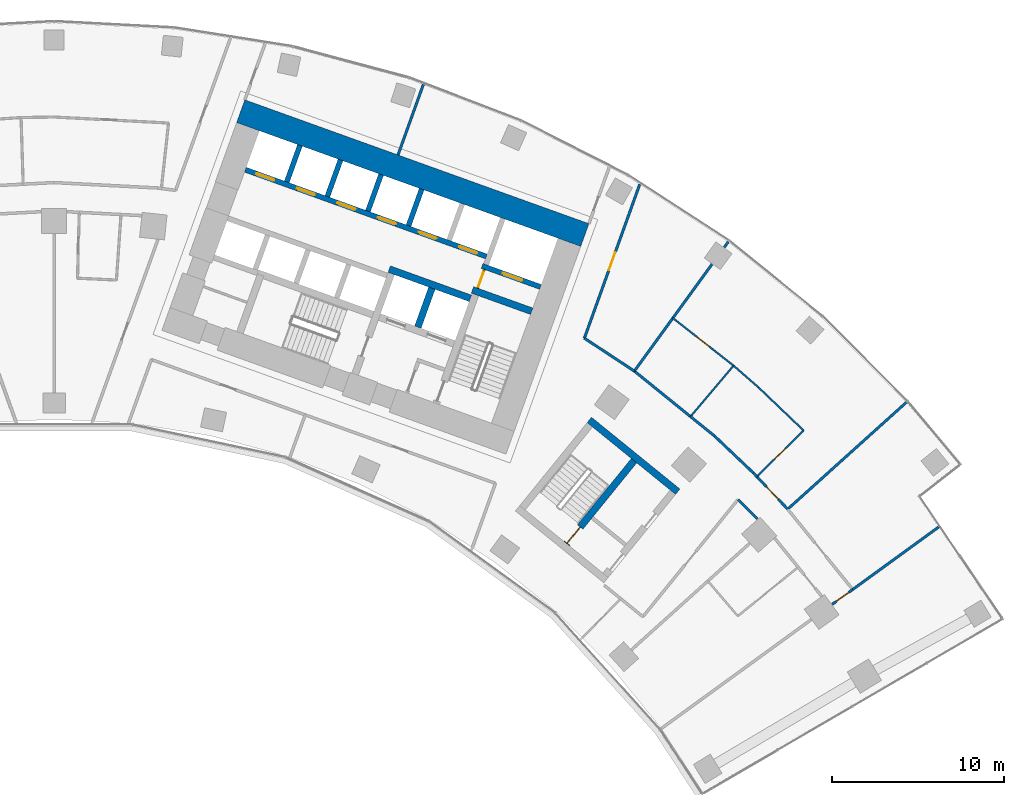
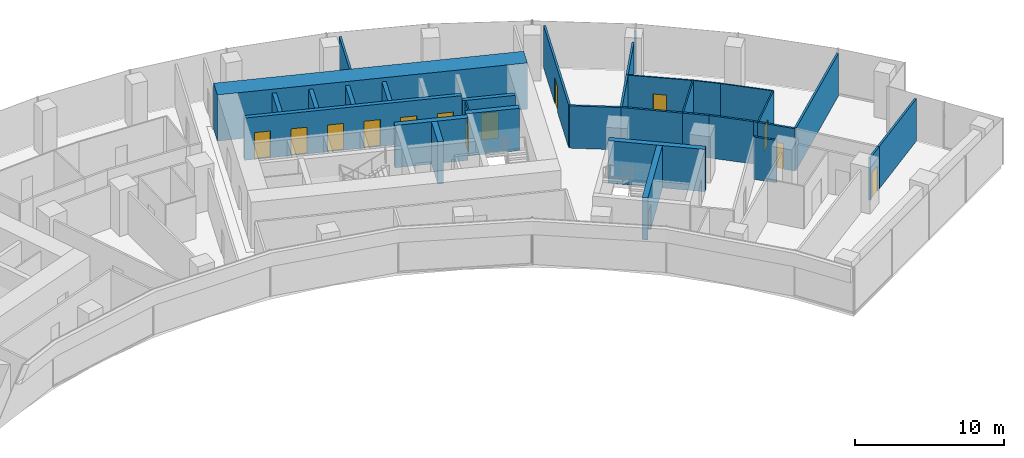
# One storey, part 18 of 21: 33 walls, 14 doors, 14 openings.
"""IFC4 building model written with IfcOpenShell, lengths in metres."""

import ifcopenshell
import ifcopenshell.guid

model = None  # the IFC model being written
_history = None  # IfcOwnerHistory: only IFC2X3 demands one
_inside = {}  # id of a spatial element -> (the spatial element, [elements in it])
_under = {}  # id of a project, library or spatial element -> (it, [spatial elements below it])
_declared = {}  # id of a project -> (the project, [libraries it declares])
_typed = {}  # id of a type object -> (the type object, [elements of that type])
_made_of = {}  # id of a material, layer set ... -> (it, [elements and type objects made of it])


def new_model(schema):
    """Start an empty IFC model of exactly this schema.

    Asked for "IFC4X3", IfcOpenShell would pick the latest addendum, in which some entities
    have other attributes; the version numbers below select the first issue.
    IFC2X3 requires an IfcOwnerHistory on every rooted entity: one is made here for all.
    """
    global model, _history
    if schema == "IFC4X3":
        model = ifcopenshell.file(schema_version=(4, 3, 0, 0))
    else:
        model = ifcopenshell.file(schema=schema)
    _inside.clear()
    _under.clear()
    _declared.clear()
    _typed.clear()
    _made_of.clear()
    _history = None
    if model.schema == "IFC2X3":
        org = make("IfcOrganization", Name="unknown")
        user = make(
            "IfcPersonAndOrganization",
            ThePerson=make("IfcPerson", FamilyName="unknown"),
            TheOrganization=org,
        )
        app = make(
            "IfcApplication",
            ApplicationDeveloper=org,
            Version="unknown",
            ApplicationFullName="unknown",
            ApplicationIdentifier="unknown",
        )
        _history = make(
            "IfcOwnerHistory",
            OwningUser=user,
            OwningApplication=app,
            ChangeAction="ADDED",
            CreationDate=0,
        )
    return model


def make(cls, **values):
    """One entity of the class cls with the attributes given. An attribute that is None is left unset."""
    return model.create_entity(
        cls, **{name: value for name, value in values.items() if value is not None}
    )


def rooted(cls, **values):
    """An entity with a GlobalId (a new one), such as an element, a storey or a relation."""
    return make(cls, GlobalId=ifcopenshell.guid.new(), OwnerHistory=_history, **values)


def si_unit(unit_type, name, prefix=None):
    """IfcSIUnit, for example si_unit("LENGTHUNIT", "METRE", prefix="MILLI")."""
    return make("IfcSIUnit", UnitType=unit_type, Prefix=prefix, Name=name)


def assignment(units):
    """IfcUnitAssignment: the units of a project."""
    return None if units is None else make("IfcUnitAssignment", Units=units)


def point(xyz):
    """IfcCartesianPoint."""
    return None if xyz is None else make("IfcCartesianPoint", Coordinates=xyz)


def direction(xyz):
    """IfcDirection."""
    return None if xyz is None else make("IfcDirection", DirectionRatios=xyz)


def frame(location, z_axis=None, x_axis=None):
    """IfcAxis2Placement3D, a coordinate frame: its origin and axes. An axis left out is left unset."""
    return make(
        "IfcAxis2Placement3D",
        Location=point(location),
        Axis=direction(z_axis),
        RefDirection=direction(x_axis),
    )


def frame_2d(location, x_axis=None):
    """IfcAxis2Placement2D, a coordinate frame in the plane: its origin and x axis."""
    return make(
        "IfcAxis2Placement2D", Location=point(location), RefDirection=direction(x_axis)
    )


def origin():
    """The frame at (0, 0, 0) with its axes left unset."""
    return frame((0.0, 0.0, 0.0))


def place(relative_to, where):
    """IfcLocalPlacement: puts the frame where relative to a parent placement (None: the world)."""
    return make(
        "IfcLocalPlacement", PlacementRelTo=relative_to, RelativePlacement=where
    )


def context(
    kind, dimensions, precision=None, world=None, true_north=None, identifier=None
):
    """IfcGeometricRepresentationContext, for example the 3D "Model" context."""
    return make(
        "IfcGeometricRepresentationContext",
        ContextIdentifier=identifier,
        ContextType=kind,
        CoordinateSpaceDimension=dimensions,
        Precision=precision,
        WorldCoordinateSystem=world,
        TrueNorth=true_north,
    )


def subcontext(parent, identifier, kind, view, scale=None):
    """IfcGeometricRepresentationSubContext, for example "Body" below "Model"."""
    return make(
        "IfcGeometricRepresentationSubContext",
        ContextIdentifier=identifier,
        ContextType=kind,
        ParentContext=parent,
        TargetScale=scale,
        TargetView=view,
    )


def project(units=None, contexts=None):
    """IfcProject with its units and contexts."""
    return rooted(
        "IfcProject",
        Name="project",
        RepresentationContexts=contexts,
        UnitsInContext=assignment(units),
    )


def spatial(cls, under=None, at=None, **own):
    """A site, building, storey or space (cls), placed at a placement, below another one or the project."""
    s = rooted(cls, ObjectPlacement=at, **own)
    if under is not None:
        _under.setdefault(under.id(), (under, []))[1].append(s)
    return s


def profile(cls, at=None, kind="AREA", **sizes):
    """A parametric profile (cls). Its sizes go by their IFC names, for example OverallWidth=200.0."""
    return make(cls, ProfileType=kind, Position=at, **sizes)


def rectangle(**sizes):
    """IfcRectangleProfileDef."""
    return profile("IfcRectangleProfileDef", **sizes)


def extrude(swept, where, along, depth):
    """IfcExtrudedAreaSolid: the profile swept, set in the frame where, extruded along a direction by depth."""
    return make(
        "IfcExtrudedAreaSolid",
        SweptArea=swept,
        Position=where,
        ExtrudedDirection=direction(along),
        Depth=depth,
    )


def shape(context_of_items, identifier, shape_type, items):
    """IfcShapeRepresentation: the items that make up one representation, for example the "Body"."""
    return make(
        "IfcShapeRepresentation",
        ContextOfItems=context_of_items,
        RepresentationIdentifier=identifier,
        RepresentationType=shape_type,
        Items=items,
    )


def material(Name=None, Category=None):
    """IfcMaterial."""
    return make("IfcMaterial", Name=Name, Category=Category)


def layer(
    of_material, thickness, ventilated=None, Name=None, Category=None, Priority=None
):
    """IfcMaterialLayer: one layer of a wall or slab, of a material (None: an air gap)."""
    return make(
        "IfcMaterialLayer",
        Material=of_material,
        LayerThickness=thickness,
        IsVentilated=ventilated,
        Name=Name,
        Category=Category,
        Priority=Priority,
    )


def layer_set(layers, Name=None):
    """IfcMaterialLayerSet."""
    return make("IfcMaterialLayerSet", MaterialLayers=layers, LayerSetName=Name)


def made_of(thing, what):
    """Note that an element or type object is made of a material, layer set ...; save() writes the relation."""
    if what is not None:
        _made_of.setdefault(what.id(), (what, []))[1].append(thing)
    return thing


def type_object(cls, material=None, **own):
    """A type object (cls), such as IfcWallType, which elements share."""
    return made_of(rooted(cls, **own), material)


def element(
    cls,
    number,
    at=None,
    inside=None,
    cuts=None,
    type_object=None,
    material=None,
    context=None,
    identifier="Body",
    shape_type=None,
    held_by="IfcProductDefinitionShape",
    body=None,
    shapes=None,
    **own,
):
    """One element of the class cls, such as IfcWall. Its Tag is "e" and its number.

    at: its placement. inside: the storey or other place that contains it. cuts: it is an
    opening in that element (IfcRelVoidsElement). A single representation is given by context,
    identifier, shape_type and body (its items); several are given by shapes. held_by: the class
    of the entity that holds the representations. save() writes the other relations.
    """
    e = rooted(cls, Tag="e%d" % number, ObjectPlacement=at, **own)
    if body is not None:
        shapes = [shape(context, identifier, shape_type, body)]
    if shapes is not None:
        e.Representation = make(held_by, Representations=shapes)
    if inside is not None:
        _inside.setdefault(inside.id(), (inside, []))[1].append(e)
    if cuts is not None:
        rooted(
            "IfcRelVoidsElement", RelatingBuildingElement=cuts, RelatedOpeningElement=e
        )
    if type_object is not None:
        _typed.setdefault(type_object.id(), (type_object, []))[1].append(e)
    return made_of(e, material)


def fill(opening, filler):
    """IfcRelFillsElement: the door or window that sits in an opening."""
    return rooted(
        "IfcRelFillsElement",
        RelatingOpeningElement=opening,
        RelatedBuildingElement=filler,
    )


def aggregate(whole, parts):
    """IfcRelAggregates: a whole, such as a stair, and the parts it consists of."""
    return rooted("IfcRelAggregates", RelatingObject=whole, RelatedObjects=parts)


def save(model, path):
    """Write the relations noted so far, then the file.

    IfcRelAggregates (storeys below a building ...), IfcRelContainedInSpatialStructure (elements
    in a storey), IfcRelDefinesByType, IfcRelAssociatesMaterial and IfcRelDeclares: one each for
    every whole, place, type object, material and project.
    """
    for whole, parts in _under.values():
        aggregate(whole, parts)
    for where, things in _inside.values():
        rooted(
            "IfcRelContainedInSpatialStructure",
            RelatedElements=things,
            RelatingStructure=where,
        )
    for kind, things in _typed.values():
        rooted("IfcRelDefinesByType", RelatedObjects=things, RelatingType=kind)
    for what, things in _made_of.values():
        rooted("IfcRelAssociatesMaterial", RelatedObjects=things, RelatingMaterial=what)
    for by, libraries in _declared.values():
        rooted("IfcRelDeclares", RelatingContext=by, RelatedDefinitions=libraries)
    model.write(path)


model = new_model("IFC4")

# Units and contexts
model_context = context("Model", 3, precision=1e-05, world=origin(), true_north=direction((0.0, 1.0)))
body_context = subcontext(model_context, "Body", "Model", "MODEL_VIEW")
ifc_project = project(units=[si_unit("LENGTHUNIT", "METRE"), si_unit("AREAUNIT", "SQUARE_METRE"), si_unit("VOLUMEUNIT", "CUBIC_METRE"), si_unit("PLANEANGLEUNIT", "RADIAN"), si_unit("MASSUNIT", "GRAM", prefix="KILO")], contexts=[model_context])

# Site, building, storey
site_placement = place(None, origin())
site = spatial("IfcSite", under=ifc_project, at=site_placement, CompositionType="ELEMENT")
building_placement = place(site_placement, origin())
building = spatial("IfcBuilding", under=site, at=building_placement, Name="Stone Belt Terrace Tower", CompositionType="ELEMENT")
storey_placement = place(building_placement, frame((0.0, 0.0, 94.60009765625)))
storey = spatial("IfcBuildingStorey", under=building, at=storey_placement, Name="L22", CompositionType="ELEMENT", Elevation=94.60009765625)

# Wall, opening, door
ifc_material_1 = material(Name="Plasterboard partition")
ifc_layer_1 = layer(ifc_material_1, 0.10009765625)
ifc_layer_set_1 = layer_set([ifc_layer_1], Name="Core partition 100")
wall_type_1 = type_object("IfcWallType", Name="Core partition 100", PredefinedType="PARTITIONING", material=ifc_layer_set_1)
wall_1_placement = place(storey_placement, frame((24.555908203125, 51.10400390625, 0.0), z_axis=(0.0, 0.0, 1.0), x_axis=(0.338621735342, 0.94092258999, 0.0)))
wall_1 = element("IfcWall", 1, at=wall_1_placement, inside=storey, type_object=wall_type_1, Name="Core B wall", PredefinedType="PARTITIONING", context=body_context, shape_type="SweptSolid", body=[
    extrude(rectangle(XDim=1.14990234375, YDim=0.10009765625, at=frame_2d((0.574951171875, 0.0))), origin(), (0.0, 0.0, 1.0), 3.47998046875),
])
opening_1_placement = place(wall_1_placement, frame((0.050048828125, 0.0, 0.0)))
opening_1 = element("IfcOpeningElement", 2, at=opening_1_placement, cuts=wall_1, Name="Opening L22-C10", PredefinedType="OPENING", context=body_context, shape_type="SweptSolid", body=[
    extrude(rectangle(XDim=1.0, YDim=2.10009765625, at=frame_2d((0.5, 1.050048828125))), frame((0.0, 0.06005859375, 0.0), z_axis=(0.0, -1.0, 0.0), x_axis=(1.0, 0.0, 0.0)), (0.0, 0.0, 1.0), 0.1201171875),
])
ifc_material_2 = material(Name="Timber door leaf", Category="wood")
door_type_1 = type_object("IfcDoorType", Name="Core room door 1000", OperationType="SINGLE_SWING_LEFT", PredefinedType="DOOR", material=ifc_material_2)
door_1_placement = place(opening_1_placement, origin())
door_1 = element("IfcDoor", 3, at=door_1_placement, inside=storey, type_object=door_type_1, Name="Service lift lobby door core B", OperationType="SINGLE_SWING_RIGHT", OverallHeight=2.10009765625, OverallWidth=1.0, PredefinedType="DOOR", context=body_context, shape_type="SweptSolid", body=[
    extrude(rectangle(XDim=1.0, YDim=2.10009765625, at=frame_2d((0.5, 1.050048828125))), frame((0.0, 0.02490234375, 0.0), z_axis=(0.0, -1.0, 0.0), x_axis=(1.0, 0.0, 0.0)), (0.0, 0.0, 1.0), 0.050048828125),
])
fill(opening_1, door_1)

# Walls
ifc_material_3 = material(Name="Concrete B80", Category="concrete")
ifc_layer_2 = layer(ifc_material_3, 1.39990234375)
ifc_layer_set_2 = layer_set([ifc_layer_2], Name="Core wall 1400 B80")
wall_type_2 = type_object("IfcWallType", Name="Core wall 1400 B80", PredefinedType="SHEAR", material=ifc_layer_set_2)
wall_2_placement = place(storey_placement, frame((10.81787109375, 61.362060546875, 0.0), z_axis=(0.0, 0.0, 1.0), x_axis=(0.940919704758, -0.338629752382, 0.0)))
element("IfcWall", 4, at=wall_2_placement, inside=storey, type_object=wall_type_2, Name="Core B wall convex L22", PredefinedType="SHEAR", context=body_context, shape_type="SweptSolid", body=[
    extrude(rectangle(XDim=21.199951171875, YDim=1.39990234375, at=frame_2d((10.60009765625, 0.0))), origin(), (0.0, 0.0, 1.0), 3.7998046875),
])
ifc_layer_3 = layer(ifc_material_3, 0.39990234375)
ifc_layer_set_3 = layer_set([ifc_layer_3], Name="Fire-fighting lift shaft wall 400")
wall_type_3 = type_object("IfcWallType", Name="Fire-fighting lift shaft wall 400", PredefinedType="SHEAR", material=ifc_layer_set_3)
wall_3_placement = place(storey_placement, frame((24.130615234375, 50.512939453125, 0.0), z_axis=(0.0, 0.0, 1.0), x_axis=(-0.94091168377, 0.338652038744, 0.0)))
element("IfcWall", 5, at=wall_3_placement, inside=storey, type_object=wall_type_3, Name="Core B wall", PredefinedType="SHEAR", context=body_context, shape_type="SweptSolid", body=[
    extrude(rectangle(XDim=5.000244140625, YDim=0.39990234375, at=frame_2d((2.5, 0.0))), origin(), (0.0, 0.0, 1.0), 3.47998046875),
])
wall_4_placement = place(storey_placement, frame((21.0859375, 48.845458984375, 0.0), z_axis=(0.0, 0.0, 1.0), x_axis=(0.338629416206, 0.940919825745, 0.0)))
element("IfcWall", 6, at=wall_4_placement, inside=storey, type_object=wall_type_3, Name="Core B wall", PredefinedType="SHEAR", context=body_context, shape_type="SweptSolid", body=[
    extrude(rectangle(XDim=2.400146484375, YDim=0.39990234375, at=frame_2d((1.2001953125, 0.0))), origin(), (0.0, 0.0, 1.0), 3.47998046875),
])

# Wall, opening, door
ifc_layer_4 = layer(ifc_material_3, 0.300048828125)
ifc_layer_set_4 = layer_set([ifc_layer_4], Name="Lift shaft wall 300")
wall_type_4 = type_object("IfcWallType", Name="Lift shaft wall 300", PredefinedType="SHEAR", material=ifc_layer_set_4)
wall_5_placement = place(storey_placement, frame((28.195068359375, 51.17578125, 0.0), z_axis=(0.0, 0.0, 1.0), x_axis=(-0.940901243567, 0.338681044427, 0.0)))
wall_5 = element("IfcWall", 7, at=wall_5_placement, inside=storey, type_object=wall_type_4, Name="Core B wall", PredefinedType="SHEAR", context=body_context, shape_type="SweptSolid", body=[
    extrude(rectangle(XDim=3.599853515625, YDim=0.300048828125, at=frame_2d((1.7998046875, 0.0))), origin(), (0.0, 0.0, 1.0), 3.47998046875),
])
opening_2_placement = place(wall_5_placement, frame((1.1201171875, 0.0, 0.0)))
opening_2 = element("IfcOpeningElement", 8, at=opening_2_placement, cuts=wall_5, Name="Opening L22-LD18", PredefinedType="OPENING", context=body_context, shape_type="SweptSolid", body=[
    extrude(rectangle(XDim=1.199951171875, YDim=2.199951171875, at=frame_2d((0.60009765625, 1.10009765625))), frame((0.0, 0.159912109375, 0.0), z_axis=(0.0, -1.0, 0.0), x_axis=(1.0, 0.0, 0.0)), (0.0, 0.0, 1.0), 0.320068359375),
])
ifc_material_4 = material(Name="Stainless steel door leaf", Category="steel")
door_type_2 = type_object("IfcDoorType", Name="Landing door 1200", OperationType="SLIDING_TO_LEFT", PredefinedType="DOOR", material=ifc_material_4)
door_2_placement = place(opening_2_placement, origin())
door_2 = element("IfcDoor", 9, at=door_2_placement, inside=storey, type_object=door_type_2, Name="Landing door SV1 core B", OperationType="SLIDING_TO_LEFT", OverallHeight=2.199951171875, OverallWidth=1.199951171875, PredefinedType="DOOR", context=body_context, shape_type="SweptSolid", body=[
    extrude(rectangle(XDim=1.199951171875, YDim=2.199951171875, at=frame_2d((0.60009765625, 1.10009765625))), frame((0.0, 0.02490234375, 0.0), z_axis=(0.0, -1.0, 0.0), x_axis=(1.0, 0.0, 0.0)), (0.0, 0.0, 1.0), 0.050048828125),
])
fill(opening_2, door_2)

# Wall, openings, doors
wall_6_placement = place(storey_placement, frame((25.05810546875, 52.9423828125, 0.0), z_axis=(0.0, 0.0, 1.0), x_axis=(-0.940918215764, 0.338633889685, 0.0)))
wall_6 = element("IfcWall", 10, at=wall_6_placement, inside=storey, type_object=wall_type_4, Name="Core B wall", PredefinedType="SHEAR", context=body_context, shape_type="SweptSolid", body=[
    extrude(rectangle(XDim=14.850341796875, YDim=0.300048828125, at=frame_2d((7.42529296875, 0.0))), origin(), (0.0, 0.0, 1.0), 3.47998046875),
])
opening_3_placement = place(wall_6_placement, frame((0.570068359375, 0.0, 0.0)))
opening_3 = element("IfcOpeningElement", 11, at=opening_3_placement, cuts=wall_6, Name="Opening L22-LD10", PredefinedType="OPENING", context=body_context, shape_type="SweptSolid", body=[
    extrude(rectangle(XDim=1.10009765625, YDim=2.199951171875, at=frame_2d((0.550048828125, 1.10009765625))), frame((0.0, 0.159912109375, 0.0), z_axis=(0.0, -1.0, 0.0), x_axis=(1.0, 0.0, 0.0)), (0.0, 0.0, 1.0), 0.320068359375),
])
opening_4_placement = place(wall_6_placement, frame((3.070068359375, 0.0, 0.0)))
opening_4 = element("IfcOpeningElement", 12, at=opening_4_placement, cuts=wall_6, Name="Opening L22-LD11", PredefinedType="OPENING", context=body_context, shape_type="SweptSolid", body=[
    extrude(rectangle(XDim=1.10009765625, YDim=2.199951171875, at=frame_2d((0.550048828125, 1.10009765625))), frame((0.0, 0.159912109375, 0.0), z_axis=(0.0, -1.0, 0.0), x_axis=(1.0, 0.0, 0.0)), (0.0, 0.0, 1.0), 0.320068359375),
])
opening_5_placement = place(wall_6_placement, frame((5.570068359375, 0.0, 0.0)))
opening_5 = element("IfcOpeningElement", 13, at=opening_5_placement, cuts=wall_6, Name="Opening L22-LD12", PredefinedType="OPENING", context=body_context, shape_type="SweptSolid", body=[
    extrude(rectangle(XDim=1.10009765625, YDim=2.199951171875, at=frame_2d((0.550048828125, 1.10009765625))), frame((0.0, 0.159912109375, 0.0), z_axis=(0.0, -1.0, 0.0), x_axis=(1.0, 0.0, 0.0)), (0.0, 0.0, 1.0), 0.320068359375),
])
opening_6_placement = place(wall_6_placement, frame((8.070068359375, 0.0, 0.0)))
opening_6 = element("IfcOpeningElement", 14, at=opening_6_placement, cuts=wall_6, Name="Opening L22-LD13", PredefinedType="OPENING", context=body_context, shape_type="SweptSolid", body=[
    extrude(rectangle(XDim=1.10009765625, YDim=2.199951171875, at=frame_2d((0.550048828125, 1.10009765625))), frame((0.0, 0.159912109375, 0.0), z_axis=(0.0, -1.0, 0.0), x_axis=(1.0, 0.0, 0.0)), (0.0, 0.0, 1.0), 0.320068359375),
])
opening_7_placement = place(wall_6_placement, frame((10.570068359375, 0.0, 0.0)))
opening_7 = element("IfcOpeningElement", 15, at=opening_7_placement, cuts=wall_6, Name="Opening L22-LD14", PredefinedType="OPENING", context=body_context, shape_type="SweptSolid", body=[
    extrude(rectangle(XDim=1.10009765625, YDim=2.199951171875, at=frame_2d((0.550048828125, 1.10009765625))), frame((0.0, 0.159912109375, 0.0), z_axis=(0.0, -1.0, 0.0), x_axis=(1.0, 0.0, 0.0)), (0.0, 0.0, 1.0), 0.320068359375),
])
opening_8_placement = place(wall_6_placement, frame((13.070068359375, 0.0, 0.0)))
opening_8 = element("IfcOpeningElement", 16, at=opening_8_placement, cuts=wall_6, Name="Opening L22-LD15", PredefinedType="OPENING", context=body_context, shape_type="SweptSolid", body=[
    extrude(rectangle(XDim=1.10009765625, YDim=2.199951171875, at=frame_2d((0.550048828125, 1.10009765625))), frame((0.0, 0.159912109375, 0.0), z_axis=(0.0, -1.0, 0.0), x_axis=(1.0, 0.0, 0.0)), (0.0, 0.0, 1.0), 0.320068359375),
])
door_type_3 = type_object("IfcDoorType", Name="Landing door 1100", OperationType="SLIDING_TO_LEFT", PredefinedType="DOOR", material=ifc_material_4)
door_3_placement = place(opening_3_placement, origin())
door_3 = element("IfcDoor", 17, at=door_3_placement, inside=storey, type_object=door_type_3, Name="Landing door LR1 core B", OperationType="SLIDING_TO_LEFT", OverallHeight=2.199951171875, OverallWidth=1.10009765625, PredefinedType="DOOR", context=body_context, shape_type="SweptSolid", body=[
    extrude(rectangle(XDim=1.10009765625, YDim=2.199951171875, at=frame_2d((0.550048828125, 1.10009765625))), frame((0.0, 0.02490234375, 0.0), z_axis=(0.0, -1.0, 0.0), x_axis=(1.0, 0.0, 0.0)), (0.0, 0.0, 1.0), 0.050048828125),
])
fill(opening_3, door_3)
door_4_placement = place(opening_4_placement, origin())
door_4 = element("IfcDoor", 18, at=door_4_placement, inside=storey, type_object=door_type_3, Name="Landing door LR2 core B", OperationType="SLIDING_TO_LEFT", OverallHeight=2.199951171875, OverallWidth=1.10009765625, PredefinedType="DOOR", context=body_context, shape_type="SweptSolid", body=[
    extrude(rectangle(XDim=1.10009765625, YDim=2.199951171875, at=frame_2d((0.550048828125, 1.10009765625))), frame((0.0, 0.02490234375, 0.0), z_axis=(0.0, -1.0, 0.0), x_axis=(1.0, 0.0, 0.0)), (0.0, 0.0, 1.0), 0.050048828125),
])
fill(opening_4, door_4)
door_5_placement = place(opening_5_placement, origin())
door_5 = element("IfcDoor", 19, at=door_5_placement, inside=storey, type_object=door_type_3, Name="Landing door LR3 core B", OperationType="SLIDING_TO_LEFT", OverallHeight=2.199951171875, OverallWidth=1.10009765625, PredefinedType="DOOR", context=body_context, shape_type="SweptSolid", body=[
    extrude(rectangle(XDim=1.10009765625, YDim=2.199951171875, at=frame_2d((0.550048828125, 1.10009765625))), frame((0.0, 0.02490234375, 0.0), z_axis=(0.0, -1.0, 0.0), x_axis=(1.0, 0.0, 0.0)), (0.0, 0.0, 1.0), 0.050048828125),
])
fill(opening_5, door_5)
door_6_placement = place(opening_6_placement, origin())
door_6 = element("IfcDoor", 20, at=door_6_placement, inside=storey, type_object=door_type_3, Name="Landing door LR4 core B", OperationType="SLIDING_TO_LEFT", OverallHeight=2.199951171875, OverallWidth=1.10009765625, PredefinedType="DOOR", context=body_context, shape_type="SweptSolid", body=[
    extrude(rectangle(XDim=1.10009765625, YDim=2.199951171875, at=frame_2d((0.550048828125, 1.10009765625))), frame((0.0, 0.02490234375, 0.0), z_axis=(0.0, -1.0, 0.0), x_axis=(1.0, 0.0, 0.0)), (0.0, 0.0, 1.0), 0.050048828125),
])
fill(opening_6, door_6)
door_7_placement = place(opening_7_placement, origin())
door_7 = element("IfcDoor", 21, at=door_7_placement, inside=storey, type_object=door_type_3, Name="Landing door LR5 core B", OperationType="SLIDING_TO_LEFT", OverallHeight=2.199951171875, OverallWidth=1.10009765625, PredefinedType="DOOR", context=body_context, shape_type="SweptSolid", body=[
    extrude(rectangle(XDim=1.10009765625, YDim=2.199951171875, at=frame_2d((0.550048828125, 1.10009765625))), frame((0.0, 0.02490234375, 0.0), z_axis=(0.0, -1.0, 0.0), x_axis=(1.0, 0.0, 0.0)), (0.0, 0.0, 1.0), 0.050048828125),
])
fill(opening_7, door_7)
door_8_placement = place(opening_8_placement, origin())
door_8 = element("IfcDoor", 22, at=door_8_placement, inside=storey, type_object=door_type_3, Name="Landing door LR6 core B", OperationType="SLIDING_TO_LEFT", OverallHeight=2.199951171875, OverallWidth=1.10009765625, PredefinedType="DOOR", context=body_context, shape_type="SweptSolid", body=[
    extrude(rectangle(XDim=1.10009765625, YDim=2.199951171875, at=frame_2d((0.550048828125, 1.10009765625))), frame((0.0, 0.02490234375, 0.0), z_axis=(0.0, -1.0, 0.0), x_axis=(1.0, 0.0, 0.0)), (0.0, 0.0, 1.0), 0.050048828125),
])
fill(opening_8, door_8)

# Walls
wall_7_placement = place(storey_placement, frame((20.54541015625, 54.72607421875, 0.0), z_axis=(0.0, 0.0, 1.0), x_axis=(0.338569601369, 0.940941350472, 0.0)))
element("IfcWall", 23, at=wall_7_placement, inside=storey, type_object=wall_type_4, Name="Core B wall", PredefinedType="SHEAR", context=body_context, shape_type="SweptSolid", body=[
    extrude(rectangle(XDim=2.249755859375, YDim=0.300048828125, at=frame_2d((1.125, 0.0))), origin(), (0.0, 0.0, 1.0), 3.47998046875),
])
wall_8_placement = place(storey_placement, frame((18.193115234375, 55.572509765625, 0.0), z_axis=(0.0, 0.0, 1.0), x_axis=(0.338535034312, 0.940953787677, 0.0)))
element("IfcWall", 24, at=wall_8_placement, inside=storey, type_object=wall_type_4, Name="Core B wall", PredefinedType="SHEAR", context=body_context, shape_type="SweptSolid", body=[
    extrude(rectangle(XDim=2.25, YDim=0.300048828125, at=frame_2d((1.125, 0.0))), origin(), (0.0, 0.0, 1.0), 3.47998046875),
])
wall_9_placement = place(storey_placement, frame((15.8408203125, 56.419189453125, 0.0), z_axis=(0.0, 0.0, 1.0), x_axis=(0.338569601369, 0.940941350472, 0.0)))
element("IfcWall", 25, at=wall_9_placement, inside=storey, type_object=wall_type_4, Name="Core B wall", PredefinedType="SHEAR", context=body_context, shape_type="SweptSolid", body=[
    extrude(rectangle(XDim=2.249755859375, YDim=0.300048828125, at=frame_2d((1.125, 0.0))), origin(), (0.0, 0.0, 1.0), 3.47998046875),
])
wall_10_placement = place(storey_placement, frame((13.48828125, 57.265625, 0.0), z_axis=(0.0, 0.0, 1.0), x_axis=(0.338631098537, 0.940919220286, 0.0)))
element("IfcWall", 26, at=wall_10_placement, inside=storey, type_object=wall_type_4, Name="Core B wall", PredefinedType="SHEAR", context=body_context, shape_type="SweptSolid", body=[
    extrude(rectangle(XDim=2.250244140625, YDim=0.300048828125, at=frame_2d((1.125, 0.0))), origin(), (0.0, 0.0, 1.0), 3.47998046875),
])

# Wall, opening, door
ifc_material_5 = material(Name="Gypsum board partition")
ifc_layer_5 = layer(ifc_material_5, 0.10009765625)
ifc_layer_set_5 = layer_set([ifc_layer_5], Name="PARTITION 100")
wall_type_5 = type_object("IfcWallType", Name="PARTITION 100", PredefinedType="PARTITIONING", material=ifc_layer_set_5)
wall_11_placement = place(storey_placement, frame((39.387939453125, 46.611083984375, 0.0), z_axis=(0.0, 0.0, 1.0), x_axis=(-0.786962053446, 0.617001399056, 0.0)))
wall_11 = element("IfcWall", 27, at=wall_11_placement, inside=storey, type_object=wall_type_5, Name="L22/wall/i073", PredefinedType="PARTITIONING", context=body_context, shape_type="SweptSolid", body=[
    extrude(rectangle(XDim=4.4716796875, YDim=0.10009765625, at=frame_2d((2.23583984375, 0.0))), origin(), (0.0, 0.0, 1.0), 3.47998046875),
])
opening_9_placement = place(wall_11_placement, frame((1.785888671875, 0.0, 0.0)))
opening_9 = element("IfcOpeningElement", 28, at=opening_9_placement, cuts=wall_11, Name="Opening D-B2-23", PredefinedType="OPENING", context=body_context, shape_type="SweptSolid", body=[
    extrude(rectangle(XDim=0.89990234375, YDim=2.10009765625, at=frame_2d((0.449951171875, 1.050048828125))), frame((0.0, 0.06005859375, 0.0), z_axis=(0.0, -1.0, 0.0), x_axis=(1.0, 0.0, 0.0)), (0.0, 0.0, 1.0), 0.1201171875),
])
door_type_4 = type_object("IfcDoorType", Name="OFFICE DOOR 900 X 2100", OperationType="NOTDEFINED", PredefinedType="DOOR", material=ifc_material_2)
door_9_placement = place(opening_9_placement, origin())
door_9 = element("IfcDoor", 29, at=door_9_placement, inside=storey, type_object=door_type_4, Name="L22/door/i23", OperationType="SINGLE_SWING_RIGHT", OverallHeight=2.10009765625, OverallWidth=0.89990234375, PredefinedType="DOOR", context=body_context, shape_type="SweptSolid", body=[
    extrude(rectangle(XDim=0.89990234375, YDim=2.10009765625, at=frame_2d((0.449951171875, 1.050048828125))), frame((0.0, 0.02490234375, 0.0), z_axis=(0.0, -1.0, 0.0), x_axis=(1.0, 0.0, 0.0)), (0.0, 0.0, 1.0), 0.050048828125),
])
fill(opening_9, door_9)

wall_12_placement = place(storey_placement, frame((40.739013671875, 40.177978515625, 0.0), z_axis=(0.0, 0.0, 1.0), x_axis=(0.7119326246, 0.702247775383, 0.0)))
wall_12 = element("IfcWall", 30, at=wall_12_placement, inside=storey, type_object=wall_type_5, Name="L22/wall/i074", PredefinedType="PARTITIONING", context=body_context, shape_type="SweptSolid", body=[
    extrude(rectangle(XDim=3.806396484375, YDim=0.10009765625, at=frame_2d((1.9033203125, 0.0))), origin(), (0.0, 0.0, 1.0), 3.47998046875),
])
opening_10_placement = place(wall_12_placement, frame((1.453125, 0.0, 0.0)))
opening_10 = element("IfcOpeningElement", 31, at=opening_10_placement, cuts=wall_12, Name="Opening D-B2-24", PredefinedType="OPENING", context=body_context, shape_type="SweptSolid", body=[
    extrude(rectangle(XDim=0.89990234375, YDim=2.10009765625, at=frame_2d((0.449951171875, 1.050048828125))), frame((0.0, 0.06005859375, 0.0), z_axis=(0.0, -1.0, 0.0), x_axis=(1.0, 0.0, 0.0)), (0.0, 0.0, 1.0), 0.1201171875),
])
door_10_placement = place(opening_10_placement, origin())
door_10 = element("IfcDoor", 32, at=door_10_placement, inside=storey, type_object=door_type_4, Name="L22/door/i24", OperationType="SINGLE_SWING_RIGHT", OverallHeight=2.10009765625, OverallWidth=0.89990234375, PredefinedType="DOOR", context=body_context, shape_type="SweptSolid", body=[
    extrude(rectangle(XDim=0.89990234375, YDim=2.10009765625, at=frame_2d((0.449951171875, 1.050048828125))), frame((0.0, 0.02490234375, 0.0), z_axis=(0.0, -1.0, 0.0), x_axis=(1.0, 0.0, 0.0)), (0.0, 0.0, 1.0), 0.050048828125),
])
fill(opening_10, door_10)

# Walls
wall_13_placement = place(storey_placement, frame((43.448974609375, 42.85107421875, 0.0), z_axis=(0.0, 0.0, 1.0), x_axis=(-0.723084314641, 0.690759780184, 0.0)))
element("IfcWall", 33, at=wall_13_placement, inside=storey, type_object=wall_type_5, Name="L22/wall/i075", PredefinedType="PARTITIONING", context=body_context, shape_type="SweptSolid", body=[
    extrude(rectangle(XDim=3.61767578125, YDim=0.10009765625, at=frame_2d((1.808837890625, 0.0))), origin(), (0.0, 0.0, 1.0), 3.47998046875),
])
wall_14_placement = place(storey_placement, frame((40.8330078125, 45.35009765625, 0.0), z_axis=(0.0, 0.0, 1.0), x_axis=(-0.753467080119, 0.657485634198, 0.0)))
element("IfcWall", 34, at=wall_14_placement, inside=storey, type_object=wall_type_5, Name="L22/wall/i076", PredefinedType="PARTITIONING", context=body_context, shape_type="SweptSolid", body=[
    extrude(rectangle(XDim=1.91796875, YDim=0.10009765625, at=frame_2d((0.958984375, 0.0))), origin(), (0.0, 0.0, 1.0), 3.47998046875),
])
wall_15_placement = place(storey_placement, frame((39.387939453125, 46.611083984375, 0.0), z_axis=(0.0, 0.0, 1.0), x_axis=(-0.645622277599, -0.763656909003, 0.0)))
element("IfcWall", 35, at=wall_15_placement, inside=storey, type_object=wall_type_5, Name="L22/wall/i078", PredefinedType="PARTITIONING", context=body_context, shape_type="SweptSolid", body=[
    extrude(rectangle(XDim=3.86572265625, YDim=0.10009765625, at=frame_2d((1.932861328125, 0.0))), origin(), (0.0, 0.0, 1.0), 3.47998046875),
])

# Wall, opening, door
ifc_layer_6 = layer(ifc_material_5, 0.14990234375)
ifc_layer_set_6 = layer_set([ifc_layer_6], Name="PARTITION 150 EI 60")
wall_type_6 = type_object("IfcWallType", Name="PARTITION 150 EI 60", PredefinedType="PARTITIONING", material=ifc_layer_set_6)
wall_16_placement = place(storey_placement, frame((33.951904296875, 57.132080078125, 0.0), z_axis=(0.0, 0.0, 1.0), x_axis=(-0.338553766065, -0.940947048182, 0.0)))
wall_16 = element("IfcWall", 36, at=wall_16_placement, inside=storey, type_object=wall_type_6, Name="L22/wall/i022", PredefinedType="PARTITIONING", context=body_context, shape_type="SweptSolid", body=[
    extrude(rectangle(XDim=9.495849609375, YDim=0.14990234375, at=frame_2d((4.748046875, 0.0))), origin(), (0.0, 0.0, 1.0), 3.47998046875),
])
opening_11_placement = place(wall_16_placement, frame((4.197998046875, 0.0, 0.0)))
opening_11 = element("IfcOpeningElement", 37, at=opening_11_placement, cuts=wall_16, Name="Opening D-B2-21", PredefinedType="OPENING", context=body_context, shape_type="SweptSolid", body=[
    extrude(rectangle(XDim=1.10009765625, YDim=2.10009765625, at=frame_2d((0.550048828125, 1.050048828125))), frame((0.0, 0.0849609375, 0.0), z_axis=(0.0, -1.0, 0.0), x_axis=(1.0, 0.0, 0.0)), (0.0, 0.0, 1.0), 0.169921875),
])
ifc_material_6 = material(Name="Steel fire door set", Category="steel")
door_type_5 = type_object("IfcDoorType", Name="SERVICE ROOM DOOR 1100 X 2100", OperationType="NOTDEFINED", PredefinedType="DOOR", material=ifc_material_6)
door_11_placement = place(opening_11_placement, origin())
door_11 = element("IfcDoor", 38, at=door_11_placement, inside=storey, type_object=door_type_5, Name="L22/door/i21", OperationType="SINGLE_SWING_LEFT", OverallHeight=2.10009765625, OverallWidth=1.10009765625, PredefinedType="DOOR", context=body_context, shape_type="SweptSolid", body=[
    extrude(rectangle(XDim=1.10009765625, YDim=2.10009765625, at=frame_2d((0.550048828125, 1.050048828125))), frame((0.0, 0.02490234375, 0.0), z_axis=(0.0, -1.0, 0.0), x_axis=(1.0, 0.0, 0.0)), (0.0, 0.0, 1.0), 0.050048828125),
])
fill(opening_11, door_11)

# Wall
wall_17_placement = place(storey_placement, frame((21.40576171875, 62.916015625, 0.0), z_axis=(0.0, 0.0, 1.0), x_axis=(-0.338494764103, -0.940968275063, 0.0)))
element("IfcWall", 39, at=wall_17_placement, inside=storey, type_object=wall_type_6, Name="L22/wall/i026", PredefinedType="PARTITIONING", context=body_context, shape_type="SweptSolid", body=[
    extrude(rectangle(XDim=4.34765625, YDim=0.14990234375, at=frame_2d((2.173828125, 0.0))), origin(), (0.0, 0.0, 1.0), 3.47998046875),
])

# Wall, opening, door
wall_18_placement = place(storey_placement, frame((46.301025390625, 33.638916015625, 0.0), z_axis=(0.0, 0.0, 1.0), x_axis=(-0.809407972322, -0.587246740597, 0.0)))
wall_18 = element("IfcWall", 40, at=wall_18_placement, inside=storey, type_object=wall_type_6, Name="L22/wall/i049", PredefinedType="PARTITIONING", context=body_context, shape_type="SweptSolid", body=[
    extrude(rectangle(XDim=1.475830078125, YDim=0.14990234375, at=frame_2d((0.73779296875, 0.0))), origin(), (0.0, 0.0, 1.0), 3.47998046875),
])
opening_12_placement = place(wall_18_placement, frame((0.287841796875, 0.0, 0.0)))
opening_12 = element("IfcOpeningElement", 41, at=opening_12_placement, cuts=wall_18, Name="Opening D-B2-16", PredefinedType="OPENING", context=body_context, shape_type="SweptSolid", body=[
    extrude(rectangle(XDim=0.89990234375, YDim=2.10009765625, at=frame_2d((0.449951171875, 1.050048828125))), frame((0.0, 0.0849609375, 0.0), z_axis=(0.0, -1.0, 0.0), x_axis=(1.0, 0.0, 0.0)), (0.0, 0.0, 1.0), 0.169921875),
])
door_12_placement = place(opening_12_placement, origin())
door_12 = element("IfcDoor", 42, at=door_12_placement, inside=storey, type_object=door_type_4, Name="L22/door/i16", OperationType="SINGLE_SWING_RIGHT", OverallHeight=2.10009765625, OverallWidth=0.89990234375, PredefinedType="DOOR", context=body_context, shape_type="SweptSolid", body=[
    extrude(rectangle(XDim=0.89990234375, YDim=2.10009765625, at=frame_2d((0.449951171875, 1.050048828125))), frame((0.0, 0.02490234375, 0.0), z_axis=(0.0, -1.0, 0.0), x_axis=(1.0, 0.0, 0.0)), (0.0, 0.0, 1.0), 0.050048828125),
])
fill(opening_12, door_12)

# Walls
wall_19_placement = place(storey_placement, frame((46.291015625, 33.632080078125, 0.0), z_axis=(0.0, 0.0, 1.0), x_axis=(0.809007988274, 0.587797647927, 0.0)))
element("IfcWall", 43, at=wall_19_placement, inside=storey, type_object=wall_type_6, Name="L22/wall/i051", PredefinedType="PARTITIONING", context=body_context, shape_type="SweptSolid", body=[
    extrude(rectangle(XDim=6.171630859375, YDim=0.14990234375, at=frame_2d((3.0859375, 0.0))), origin(), (0.0, 0.0, 1.0), 3.47998046875),
])
wall_20_placement = place(storey_placement, frame((30.739013671875, 48.202880859375, 0.0), z_axis=(0.0, 0.0, 1.0), x_axis=(0.835274160171, -0.549833681535, 0.0)))
element("IfcWall", 44, at=wall_20_placement, inside=storey, type_object=wall_type_6, Name="L22/wall/i052", PredefinedType="PARTITIONING", context=body_context, shape_type="SweptSolid", body=[
    extrude(rectangle(XDim=3.46826171875, YDim=0.14990234375, at=frame_2d((1.734130859375, 0.0))), origin(), (0.0, 0.0, 1.0), 3.47998046875),
])
wall_21_placement = place(storey_placement, frame((33.635986328125, 46.2958984375, 0.0), z_axis=(0.0, 0.0, 1.0), x_axis=(0.777125625244, -0.629345503352, 0.0)))
element("IfcWall", 45, at=wall_21_placement, inside=storey, type_object=wall_type_6, Name="L22/wall/i053", PredefinedType="PARTITIONING", context=body_context, shape_type="SweptSolid", body=[
    extrude(rectangle(XDim=4.1962890625, YDim=0.14990234375, at=frame_2d((2.09814453125, 0.0))), origin(), (0.0, 0.0, 1.0), 3.47998046875),
])
wall_22_placement = place(storey_placement, frame((36.886962890625, 43.6630859375, 0.0), z_axis=(0.0, 0.0, 1.0), x_axis=(0.777200778187, -0.629252691997, 0.0)))
element("IfcWall", 46, at=wall_22_placement, inside=storey, type_object=wall_type_6, Name="L22/wall/i054", PredefinedType="PARTITIONING", context=body_context, shape_type="SweptSolid", body=[
    extrude(rectangle(XDim=1.80517578125, YDim=0.14990234375, at=frame_2d((0.902587890625, 0.0))), origin(), (0.0, 0.0, 1.0), 3.47998046875),
])
wall_23_placement = place(storey_placement, frame((38.291015625, 42.52587890625, 0.0), z_axis=(0.0, 0.0, 1.0), x_axis=(0.724835843729, -0.688921620829, 0.0)))
element("IfcWall", 47, at=wall_23_placement, inside=storey, type_object=wall_type_6, Name="L22/wall/i055", PredefinedType="PARTITIONING", context=body_context, shape_type="SweptSolid", body=[
    extrude(rectangle(XDim=3.093017578125, YDim=0.14990234375, at=frame_2d((1.54638671875, 0.0))), origin(), (0.0, 0.0, 1.0), 3.47998046875),
])
wall_24_placement = place(storey_placement, frame((40.765625, 37.721435546875, 0.0), z_axis=(0.0, 0.0, 1.0), x_axis=(-0.707106781187, 0.707106781187, 0.0)))
element("IfcWall", 48, at=wall_24_placement, inside=storey, type_object=wall_type_6, Name="L22/wall/i056", PredefinedType="PARTITIONING", context=body_context, shape_type="SweptSolid", body=[
    extrude(rectangle(XDim=1.587646484375, YDim=0.14990234375, at=frame_2d((0.7939453125, 0.0))), origin(), (0.0, 0.0, 1.0), 3.47998046875),
])

# Wall, opening, door
wall_25_placement = place(storey_placement, frame((40.735107421875, 40.181884765625, 0.0), z_axis=(0.0, 0.0, 1.0), x_axis=(0.687627627424, -0.726063527526, 0.0)))
wall_25 = element("IfcWall", 49, at=wall_25_placement, inside=storey, type_object=wall_type_6, Name="L22/wall/i059", PredefinedType="PARTITIONING", context=body_context, shape_type="SweptSolid", body=[
    extrude(rectangle(XDim=2.604248046875, YDim=0.14990234375, at=frame_2d((1.30224609375, 0.0))), origin(), (0.0, 0.0, 1.0), 3.47998046875),
])
opening_13_placement = place(wall_25_placement, frame((0.80224609375, 0.0, 0.0)))
opening_13 = element("IfcOpeningElement", 50, at=opening_13_placement, cuts=wall_25, Name="Opening D-B2-22", PredefinedType="OPENING", context=body_context, shape_type="SweptSolid", body=[
    extrude(rectangle(XDim=1.0, YDim=2.10009765625, at=frame_2d((0.5, 1.050048828125))), frame((0.0, 0.0849609375, 0.0), z_axis=(0.0, -1.0, 0.0), x_axis=(1.0, 0.0, 0.0)), (0.0, 0.0, 1.0), 0.169921875),
])
ifc_material_7 = material(Name="Timber fire door leaf", Category="wood")
door_type_6 = type_object("IfcDoorType", Name="TENANCY ENTRANCE DOOR 1000 X 2100", OperationType="NOTDEFINED", PredefinedType="DOOR", material=ifc_material_7)
door_13_placement = place(opening_13_placement, origin())
door_13 = element("IfcDoor", 51, at=door_13_placement, inside=storey, type_object=door_type_6, Name="L22/door/i22", OperationType="SINGLE_SWING_RIGHT", OverallHeight=2.10009765625, OverallWidth=1.0, PredefinedType="DOOR", context=body_context, shape_type="SweptSolid", body=[
    extrude(rectangle(XDim=1.0, YDim=2.10009765625, at=frame_2d((0.5, 1.050048828125))), frame((0.0, 0.02490234375, 0.0), z_axis=(0.0, -1.0, 0.0), x_axis=(1.0, 0.0, 0.0)), (0.0, 0.0, 1.0), 0.050048828125),
])
fill(opening_13, door_13)

# Walls
wall_26_placement = place(storey_placement, frame((40.532958984375, 40.39501953125, 0.0), z_axis=(0.0, 0.0, 1.0), x_axis=(0.68885471009, -0.724899433292, 0.0)))
element("IfcWall", 52, at=wall_26_placement, inside=storey, type_object=wall_type_6, Name="L22/wall/i060", PredefinedType="PARTITIONING", context=body_context, shape_type="SweptSolid", body=[
    extrude(rectangle(XDim=0.3046875, YDim=0.14990234375, at=frame_2d((0.15234375, 0.0))), origin(), (0.0, 0.0, 1.0), 3.47998046875),
])
wall_27_placement = place(storey_placement, frame((39.087890625, 53.7998046875, 0.0), z_axis=(0.0, 0.0, 1.0), x_axis=(-0.588207421816, -0.808710101904, 0.0)))
element("IfcWall", 53, at=wall_27_placement, inside=storey, type_object=wall_type_6, Name="L22/wall/i070", PredefinedType="PARTITIONING", context=body_context, shape_type="SweptSolid", body=[
    extrude(rectangle(XDim=0.40625, YDim=0.14990234375, at=frame_2d((0.203125, 0.0))), origin(), (0.0, 0.0, 1.0), 3.47998046875),
])
wall_28_placement = place(storey_placement, frame((38.1376953125, 52.4921875, 0.0), z_axis=(0.0, 0.0, 1.0), x_axis=(-0.58789754281, -0.808935398631, 0.0)))
element("IfcWall", 54, at=wall_28_placement, inside=storey, type_object=wall_type_6, Name="L22/wall/i071", PredefinedType="PARTITIONING", context=body_context, shape_type="SweptSolid", body=[
    extrude(rectangle(XDim=3.86572265625, YDim=0.14990234375, at=frame_2d((1.932861328125, 0.0))), origin(), (0.0, 0.0, 1.0), 3.47998046875),
])
wall_29_placement = place(storey_placement, frame((35.873046875, 49.375, 0.0), z_axis=(0.0, 0.0, 1.0), x_axis=(-0.587778771374, -0.809021702998, 0.0)))
element("IfcWall", 55, at=wall_29_placement, inside=storey, type_object=wall_type_6, Name="L22/wall/i072", PredefinedType="PARTITIONING", context=body_context, shape_type="SweptSolid", body=[
    extrude(rectangle(XDim=3.805908203125, YDim=0.14990234375, at=frame_2d((1.90283203125, 0.0))), origin(), (0.0, 0.0, 1.0), 3.47998046875),
])
wall_30_placement = place(storey_placement, frame((49.41943359375, 44.496826171875, 0.0), z_axis=(0.0, 0.0, 1.0), x_axis=(-0.743207759706, -0.669060704206, 0.0)))
element("IfcWall", 56, at=wall_30_placement, inside=storey, type_object=wall_type_6, Name="L22/wall/i077", PredefinedType="PARTITIONING", context=body_context, shape_type="SweptSolid", body=[
    extrude(rectangle(XDim=9.275390625, YDim=0.14990234375, at=frame_2d((4.6376953125, 0.0))), origin(), (0.0, 0.0, 1.0), 3.47998046875),
])
ifc_layer_7 = layer(ifc_material_3, 0.39990234375)
ifc_layer_set_7 = layer_set([ifc_layer_7], Name="Stair enclosure wall 400")
wall_type_7 = type_object("IfcWallType", Name="Stair enclosure wall 400", PredefinedType="SHEAR", material=ifc_layer_set_7)
wall_31_placement = place(storey_placement, frame((27.687255859375, 49.764404296875, 0.0), z_axis=(0.0, 0.0, 1.0), x_axis=(-0.940918954884, 0.338631835981, 0.0)))
element("IfcWall", 57, at=wall_31_placement, inside=storey, type_object=wall_type_7, Name="Core B wall", PredefinedType="SHEAR", context=body_context, shape_type="SweptSolid", body=[
    extrude(rectangle(XDim=3.650146484375, YDim=0.39990234375, at=frame_2d((1.8251953125, 0.0))), origin(), (0.0, 0.0, 1.0), 3.47998046875),
])
wall_32_placement = place(storey_placement, frame((31.02783203125, 43.46337890625, 0.0), z_axis=(0.0, 0.0, 1.0), x_axis=(0.776413760801, -0.630223509589, 0.0)))
element("IfcWall", 58, at=wall_32_placement, inside=storey, type_object=wall_type_7, Name="Exit stair ST3B wall", PredefinedType="SHEAR", context=body_context, shape_type="SweptSolid", body=[
    extrude(rectangle(XDim=6.599853515625, YDim=0.39990234375, at=frame_2d((3.2998046875, 0.0))), origin(), (0.0, 0.0, 1.0), 3.47998046875),
])

# Wall, opening, door
wall_33_placement = place(storey_placement, frame((29.7119140625, 36.288330078125, 0.0), z_axis=(0.0, 0.0, 1.0), x_axis=(0.630192283849, 0.776439106033, 0.0)))
wall_33 = element("IfcWall", 59, at=wall_33_placement, inside=storey, type_object=wall_type_7, Name="Exit stair ST3B wall", PredefinedType="SHEAR", context=body_context, shape_type="SweptSolid", body=[
    extrude(rectangle(XDim=6.199951171875, YDim=0.39990234375, at=frame_2d((3.10009765625, 0.0))), origin(), (0.0, 0.0, 1.0), 3.47998046875),
])
opening_14_placement = place(wall_33_placement, frame((0.050048828125, 0.0, 0.0)))
opening_14 = element("IfcOpeningElement", 60, at=opening_14_placement, cuts=wall_33, Name="Opening L22-C22", PredefinedType="OPENING", context=body_context, shape_type="SweptSolid", body=[
    extrude(rectangle(XDim=1.199951171875, YDim=2.10009765625, at=frame_2d((0.60009765625, 1.050048828125))), frame((0.0, 0.2099609375, 0.0), z_axis=(0.0, -1.0, 0.0), x_axis=(1.0, 0.0, 0.0)), (0.0, 0.0, 1.0), 0.419921875),
])
ifc_material_8 = material(Name="Steel door leaf", Category="steel")
door_type_7 = type_object("IfcDoorType", Name="Stair door 1200", OperationType="SINGLE_SWING_LEFT", PredefinedType="DOOR", material=ifc_material_8)
door_14_placement = place(opening_14_placement, origin())
door_14 = element("IfcDoor", 61, at=door_14_placement, inside=storey, type_object=door_type_7, Name="Stair door ST3B", OperationType="SINGLE_SWING_RIGHT", OverallHeight=2.10009765625, OverallWidth=1.199951171875, PredefinedType="DOOR", context=body_context, shape_type="SweptSolid", body=[
    extrude(rectangle(XDim=1.199951171875, YDim=2.10009765625, at=frame_2d((0.60009765625, 1.050048828125))), frame((0.0, 0.02490234375, 0.0), z_axis=(0.0, -1.0, 0.0), x_axis=(1.0, 0.0, 0.0)), (0.0, 0.0, 1.0), 0.050048828125),
])
fill(opening_14, door_14)

save(model, "model.ifc")
